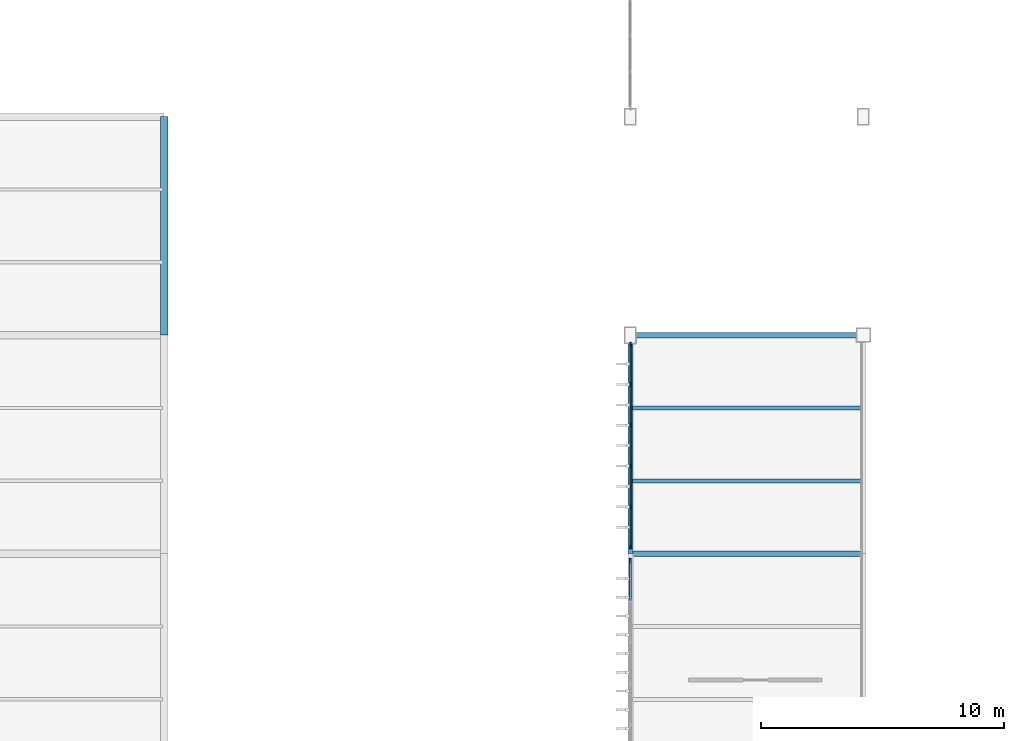
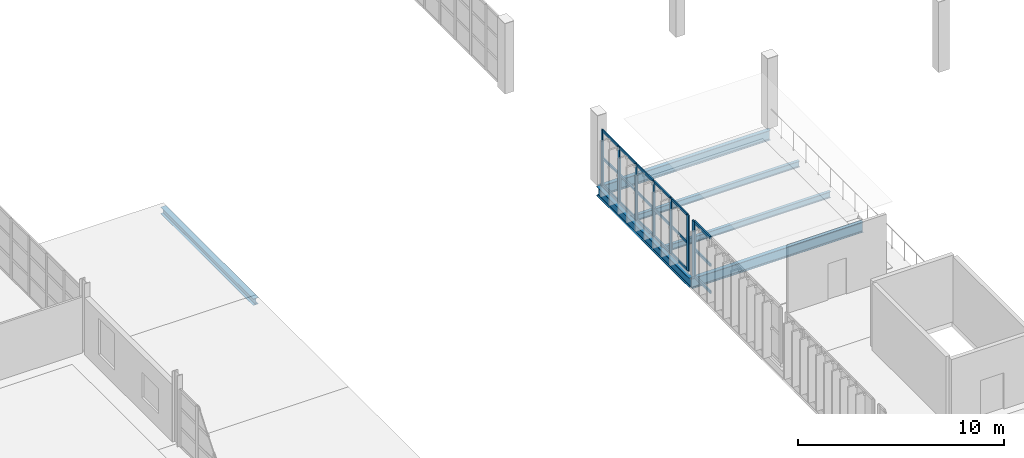
# One storey, part 24 of 82: 25 members, 6 beams, 2 elements without a shape of their own.
"""IFC4 building model written with IfcOpenShell, lengths in metres."""

import ifcopenshell
import ifcopenshell.guid

model = None  # the IFC model being written
_history = None  # IfcOwnerHistory: only IFC2X3 demands one
_inside = {}  # id of a spatial element -> (the spatial element, [elements in it])
_under = {}  # id of a project, library or spatial element -> (it, [spatial elements below it])
_declared = {}  # id of a project -> (the project, [libraries it declares])
_typed = {}  # id of a type object -> (the type object, [elements of that type])
_made_of = {}  # id of a material, layer set ... -> (it, [elements and type objects made of it])


def new_model(schema):
    """Start an empty IFC model of exactly this schema.

    Asked for "IFC4X3", IfcOpenShell would pick the latest addendum, in which some entities
    have other attributes; the version numbers below select the first issue.
    IFC2X3 requires an IfcOwnerHistory on every rooted entity: one is made here for all.
    """
    global model, _history
    if schema == "IFC4X3":
        model = ifcopenshell.file(schema_version=(4, 3, 0, 0))
    else:
        model = ifcopenshell.file(schema=schema)
    _inside.clear()
    _under.clear()
    _declared.clear()
    _typed.clear()
    _made_of.clear()
    _history = None
    if model.schema == "IFC2X3":
        org = make("IfcOrganization", Name="unknown")
        user = make(
            "IfcPersonAndOrganization",
            ThePerson=make("IfcPerson", FamilyName="unknown"),
            TheOrganization=org,
        )
        app = make(
            "IfcApplication",
            ApplicationDeveloper=org,
            Version="unknown",
            ApplicationFullName="unknown",
            ApplicationIdentifier="unknown",
        )
        _history = make(
            "IfcOwnerHistory",
            OwningUser=user,
            OwningApplication=app,
            ChangeAction="ADDED",
            CreationDate=0,
        )
    return model


def make(cls, **values):
    """One entity of the class cls with the attributes given. An attribute that is None is left unset."""
    return model.create_entity(
        cls, **{name: value for name, value in values.items() if value is not None}
    )


def rooted(cls, **values):
    """An entity with a GlobalId (a new one), such as an element, a storey or a relation."""
    return make(cls, GlobalId=ifcopenshell.guid.new(), OwnerHistory=_history, **values)


def si_unit(unit_type, name, prefix=None):
    """IfcSIUnit, for example si_unit("LENGTHUNIT", "METRE", prefix="MILLI")."""
    return make("IfcSIUnit", UnitType=unit_type, Prefix=prefix, Name=name)


def assignment(units):
    """IfcUnitAssignment: the units of a project."""
    return None if units is None else make("IfcUnitAssignment", Units=units)


def point(xyz):
    """IfcCartesianPoint."""
    return None if xyz is None else make("IfcCartesianPoint", Coordinates=xyz)


def direction(xyz):
    """IfcDirection."""
    return None if xyz is None else make("IfcDirection", DirectionRatios=xyz)


def frame(location, z_axis=None, x_axis=None):
    """IfcAxis2Placement3D, a coordinate frame: its origin and axes. An axis left out is left unset."""
    return make(
        "IfcAxis2Placement3D",
        Location=point(location),
        Axis=direction(z_axis),
        RefDirection=direction(x_axis),
    )


def frame_2d(location, x_axis=None):
    """IfcAxis2Placement2D, a coordinate frame in the plane: its origin and x axis."""
    return make(
        "IfcAxis2Placement2D", Location=point(location), RefDirection=direction(x_axis)
    )


def origin():
    """The frame at (0, 0, 0) with its axes left unset."""
    return frame((0.0, 0.0, 0.0))


def origin_2d():
    """The frame at (0, 0) in the plane with its x axis left unset."""
    return frame_2d((0.0, 0.0))


def place(relative_to, where):
    """IfcLocalPlacement: puts the frame where relative to a parent placement (None: the world)."""
    return make(
        "IfcLocalPlacement", PlacementRelTo=relative_to, RelativePlacement=where
    )


def context(
    kind, dimensions, precision=None, world=None, true_north=None, identifier=None
):
    """IfcGeometricRepresentationContext, for example the 3D "Model" context."""
    return make(
        "IfcGeometricRepresentationContext",
        ContextIdentifier=identifier,
        ContextType=kind,
        CoordinateSpaceDimension=dimensions,
        Precision=precision,
        WorldCoordinateSystem=world,
        TrueNorth=true_north,
    )


def subcontext(parent, identifier, kind, view, scale=None):
    """IfcGeometricRepresentationSubContext, for example "Body" below "Model"."""
    return make(
        "IfcGeometricRepresentationSubContext",
        ContextIdentifier=identifier,
        ContextType=kind,
        ParentContext=parent,
        TargetScale=scale,
        TargetView=view,
    )


def project(units=None, contexts=None):
    """IfcProject with its units and contexts."""
    return rooted(
        "IfcProject",
        Name="project",
        RepresentationContexts=contexts,
        UnitsInContext=assignment(units),
    )


def spatial(cls, under=None, at=None, **own):
    """A site, building, storey or space (cls), placed at a placement, below another one or the project."""
    s = rooted(cls, ObjectPlacement=at, **own)
    if under is not None:
        _under.setdefault(under.id(), (under, []))[1].append(s)
    return s


def profile(cls, at=None, kind="AREA", **sizes):
    """A parametric profile (cls). Its sizes go by their IFC names, for example OverallWidth=200.0."""
    return make(cls, ProfileType=kind, Position=at, **sizes)


def rectangle(**sizes):
    """IfcRectangleProfileDef."""
    return profile("IfcRectangleProfileDef", **sizes)


def i_section(**sizes):
    """IfcIShapeProfileDef."""
    return profile("IfcIShapeProfileDef", **sizes)


def extrude(swept, where, along, depth):
    """IfcExtrudedAreaSolid: the profile swept, set in the frame where, extruded along a direction by depth."""
    return make(
        "IfcExtrudedAreaSolid",
        SweptArea=swept,
        Position=where,
        ExtrudedDirection=direction(along),
        Depth=depth,
    )


def shape(context_of_items, identifier, shape_type, items):
    """IfcShapeRepresentation: the items that make up one representation, for example the "Body"."""
    return make(
        "IfcShapeRepresentation",
        ContextOfItems=context_of_items,
        RepresentationIdentifier=identifier,
        RepresentationType=shape_type,
        Items=items,
    )


def material(Name=None, Category=None):
    """IfcMaterial."""
    return make("IfcMaterial", Name=Name, Category=Category)


def layer(
    of_material, thickness, ventilated=None, Name=None, Category=None, Priority=None
):
    """IfcMaterialLayer: one layer of a wall or slab, of a material (None: an air gap)."""
    return make(
        "IfcMaterialLayer",
        Material=of_material,
        LayerThickness=thickness,
        IsVentilated=ventilated,
        Name=Name,
        Category=Category,
        Priority=Priority,
    )


def layer_set(layers, Name=None):
    """IfcMaterialLayerSet."""
    return make("IfcMaterialLayerSet", MaterialLayers=layers, LayerSetName=Name)


def material_profile(
    of_material, cross_section, Name=None, Category=None, Priority=None
):
    """IfcMaterialProfile: a cross section and its material."""
    return make(
        "IfcMaterialProfile",
        Name=Name,
        Material=of_material,
        Profile=cross_section,
        Priority=Priority,
        Category=Category,
    )


def profile_set(profiles, Name=None, composite=None):
    """IfcMaterialProfileSet."""
    return make(
        "IfcMaterialProfileSet",
        Name=Name,
        MaterialProfiles=profiles,
        CompositeProfile=composite,
    )


def made_of(thing, what):
    """Note that an element or type object is made of a material, layer set ...; save() writes the relation."""
    if what is not None:
        _made_of.setdefault(what.id(), (what, []))[1].append(thing)
    return thing


def type_object(cls, material=None, **own):
    """A type object (cls), such as IfcWallType, which elements share."""
    return made_of(rooted(cls, **own), material)


def element(
    cls,
    number,
    at=None,
    inside=None,
    cuts=None,
    type_object=None,
    material=None,
    context=None,
    identifier="Body",
    shape_type=None,
    held_by="IfcProductDefinitionShape",
    body=None,
    shapes=None,
    **own,
):
    """One element of the class cls, such as IfcWall. Its Tag is "e" and its number.

    at: its placement. inside: the storey or other place that contains it. cuts: it is an
    opening in that element (IfcRelVoidsElement). A single representation is given by context,
    identifier, shape_type and body (its items); several are given by shapes. held_by: the class
    of the entity that holds the representations. save() writes the other relations.
    """
    e = rooted(cls, Tag="e%d" % number, ObjectPlacement=at, **own)
    if body is not None:
        shapes = [shape(context, identifier, shape_type, body)]
    if shapes is not None:
        e.Representation = make(held_by, Representations=shapes)
    if inside is not None:
        _inside.setdefault(inside.id(), (inside, []))[1].append(e)
    if cuts is not None:
        rooted(
            "IfcRelVoidsElement", RelatingBuildingElement=cuts, RelatedOpeningElement=e
        )
    if type_object is not None:
        _typed.setdefault(type_object.id(), (type_object, []))[1].append(e)
    return made_of(e, material)


def aggregate(whole, parts):
    """IfcRelAggregates: a whole, such as a stair, and the parts it consists of."""
    return rooted("IfcRelAggregates", RelatingObject=whole, RelatedObjects=parts)


def save(model, path):
    """Write the relations noted so far, then the file.

    IfcRelAggregates (storeys below a building ...), IfcRelContainedInSpatialStructure (elements
    in a storey), IfcRelDefinesByType, IfcRelAssociatesMaterial and IfcRelDeclares: one each for
    every whole, place, type object, material and project.
    """
    for whole, parts in _under.values():
        aggregate(whole, parts)
    for where, things in _inside.values():
        rooted(
            "IfcRelContainedInSpatialStructure",
            RelatedElements=things,
            RelatingStructure=where,
        )
    for kind, things in _typed.values():
        rooted("IfcRelDefinesByType", RelatedObjects=things, RelatingType=kind)
    for what, things in _made_of.values():
        rooted("IfcRelAssociatesMaterial", RelatedObjects=things, RelatingMaterial=what)
    for by, libraries in _declared.values():
        rooted("IfcRelDeclares", RelatingContext=by, RelatedDefinitions=libraries)
    model.write(path)


model = new_model("IFC4")

# Units and contexts
model_context = context("Model", 3, precision=1e-05, world=origin(), true_north=direction((0.0, 1.0)))
body_context = subcontext(model_context, "Body", "Model", "MODEL_VIEW")
ifc_project = project(units=[si_unit("LENGTHUNIT", "METRE"), si_unit("AREAUNIT", "SQUARE_METRE"), si_unit("VOLUMEUNIT", "CUBIC_METRE"), si_unit("PLANEANGLEUNIT", "RADIAN"), si_unit("MASSUNIT", "GRAM", prefix="KILO")], contexts=[model_context])

# Site, building, storey
site_placement = place(None, origin())
site = spatial("IfcSite", under=ifc_project, at=site_placement, CompositionType="ELEMENT")
building_placement = place(site_placement, origin())
building = spatial("IfcBuilding", under=site, at=building_placement, Name="Zarnetskaya Central Station", CompositionType="ELEMENT")
storey_placement = place(building_placement, frame((0.0, 0.0, 10.199951171875)))
storey = spatial("IfcBuildingStorey", under=building, at=storey_placement, Name="L02", CompositionType="ELEMENT", Elevation=10.199951171875)

# Beams
ifc_material_1 = material(Name="Steel S355", Category="steel")
ifc_material_profile_1 = material_profile(ifc_material_1, i_section(OverallWidth=0.169921875, OverallDepth=0.360107421875, WebThickness=0.008056640625, FlangeThickness=0.0126953125, FilletRadius=0.01806640625, at=origin_2d()), Name="IPE 360")
ifc_profile_set_1 = profile_set([ifc_material_profile_1], Name="Steel S355")
beam_type_1 = type_object("IfcBeamType", Name="BM-SEC-360", PredefinedType="BEAM", material=ifc_profile_set_1)
for number, where, z_axis, x_axis, name in (
    (1, (57.679931640625, 52.199951171875, -0.43994140625), (1.0, 0.0, 0.0), (0.0, 1.0, 0.0), "Secondary floor beam SEC-L02-Z994-GH-78-1"),
    (2, (57.679931640625, 55.199951171875, -0.43994140625), (1.0, 0.0, 0.0), (0.0, 1.0, 0.0), "Secondary floor beam SEC-L02-Z994-GH-78-2"),
):
    element("IfcBeam", number, at=place(storey_placement, frame(where, z_axis=z_axis, x_axis=x_axis)), inside=storey, type_object=beam_type_1, Name=name, PredefinedType="BEAM", context=body_context, shape_type="SweptSolid", body=[
        extrude(i_section(OverallWidth=0.169921875, OverallDepth=0.360107421875, WebThickness=0.008056640625, FlangeThickness=0.0126953125, FilletRadius=0.01806640625, at=origin_2d()), origin(), (0.0, 0.0, 1.0), 9.440185546875),
    ])

# Curtain wall, members
ifc_material_2 = material(Name="Low-E insulated glass", Category="glass")
ifc_layer = layer(ifc_material_2, 0.176025390625, Name="Low-E insulated glass", Category="glass")
ifc_layer_set = layer_set([ifc_layer], Name="Low-E insulated glass")
curtain_wall_type = type_object("IfcCurtainWallType", Name="CW-SYS-15", PredefinedType="USERDEFINED", material=ifc_layer_set)
curtain_wall_1_placement = place(storey_placement, origin())
curtain_wall_1 = element("IfcCurtainWall", 3, at=curtain_wall_1_placement, inside=storey, type_object=curtain_wall_type, Name="Curtain wall CW-L02-097", ObjectType="CURTAIN WALL", PredefinedType="USERDEFINED")
ifc_material_3 = material(Name="Anodised aluminium", Category="aluminium")
ifc_material_profile_2 = material_profile(ifc_material_3, rectangle(XDim=0.070068359375, YDim=0.179931640625, at=origin_2d()), Name="ALU MULL 70x180")
ifc_profile_set_2 = profile_set([ifc_material_profile_2], Name="Anodised aluminium")
member_type_1 = type_object("IfcMemberType", Name="CW-MULL-180", PredefinedType="MULLION", material=ifc_profile_set_2)
member_1_placement = place(storey_placement, frame((57.60009765625, 49.485107421875, 0.0), z_axis=(0.0, 0.0, 1.0), x_axis=(-1.0, 0.0, 0.0)))
member_1 = element("IfcMember", 4, at=member_1_placement, type_object=member_type_1, Name="CW-05 mullion 1", PredefinedType="MULLION", context=body_context, shape_type="SweptSolid", body=[
    extrude(rectangle(XDim=0.070068359375, YDim=0.179931640625, at=origin_2d()), origin(), (0.0, 0.0, 1.0), 3.300048828125),
])
member_2_placement = place(storey_placement, frame((57.60009765625, 51.1298828125, 0.0), z_axis=(0.0, 0.0, 1.0), x_axis=(-1.0, 0.0, 0.0)))
member_2 = element("IfcMember", 5, at=member_2_placement, type_object=member_type_1, Name="CW-05 mullion 2", PredefinedType="MULLION", context=body_context, shape_type="SweptSolid", body=[
    extrude(rectangle(XDim=0.070068359375, YDim=0.179931640625, at=origin_2d()), origin(), (0.0, 0.0, 1.0), 3.300048828125),
])
member_3_placement = place(storey_placement, frame((57.60009765625, 52.81005859375, 0.0), z_axis=(0.0, 0.0, 1.0), x_axis=(-1.0, 0.0, 0.0)))
member_3 = element("IfcMember", 6, at=member_3_placement, type_object=member_type_1, Name="CW-05 mullion 3", PredefinedType="MULLION", context=body_context, shape_type="SweptSolid", body=[
    extrude(rectangle(XDim=0.070068359375, YDim=0.179931640625, at=origin_2d()), origin(), (0.0, 0.0, 1.0), 3.300048828125),
])
member_4_placement = place(storey_placement, frame((57.60009765625, 54.489990234375, 0.0), z_axis=(0.0, 0.0, 1.0), x_axis=(-1.0, 0.0, 0.0)))
member_4 = element("IfcMember", 7, at=member_4_placement, type_object=member_type_1, Name="CW-05 mullion 4", PredefinedType="MULLION", context=body_context, shape_type="SweptSolid", body=[
    extrude(rectangle(XDim=0.070068359375, YDim=0.179931640625, at=origin_2d()), origin(), (0.0, 0.0, 1.0), 3.300048828125),
])
member_5_placement = place(storey_placement, frame((57.60009765625, 56.169921875, 0.0), z_axis=(0.0, 0.0, 1.0), x_axis=(-1.0, 0.0, 0.0)))
member_5 = element("IfcMember", 8, at=member_5_placement, type_object=member_type_1, Name="CW-05 mullion 5", PredefinedType="MULLION", context=body_context, shape_type="SweptSolid", body=[
    extrude(rectangle(XDim=0.070068359375, YDim=0.179931640625, at=origin_2d()), origin(), (0.0, 0.0, 1.0), 3.300048828125),
])
member_6_placement = place(storey_placement, frame((57.60009765625, 57.81494140625, 0.0), z_axis=(0.0, 0.0, 1.0), x_axis=(-1.0, 0.0, 0.0)))
member_6 = element("IfcMember", 9, at=member_6_placement, type_object=member_type_1, Name="CW-05 mullion 6", PredefinedType="MULLION", context=body_context, shape_type="SweptSolid", body=[
    extrude(rectangle(XDim=0.070068359375, YDim=0.179931640625, at=origin_2d()), origin(), (0.0, 0.0, 1.0), 3.300048828125),
])

# Curtain wall, member
curtain_wall_2_placement = place(storey_placement, origin())
curtain_wall_2 = element("IfcCurtainWall", 10, at=curtain_wall_2_placement, inside=storey, type_object=curtain_wall_type, Name="Curtain wall CW-L02-094", ObjectType="CURTAIN WALL", PredefinedType="USERDEFINED")
ifc_material_profile_3 = material_profile(ifc_material_3, rectangle(XDim=0.080078125, YDim=0.219970703125, at=origin_2d()), Name="ALU MULL 80x220")
ifc_profile_set_3 = profile_set([ifc_material_profile_3], Name="Anodised aluminium")
member_type_2 = type_object("IfcMemberType", Name="CW-MULL-220", PredefinedType="MULLION", material=ifc_profile_set_3)
member_7_placement = place(storey_placement, frame((57.60009765625, 48.909912109375, 0.0), z_axis=(0.0, 0.0, 1.0), x_axis=(-1.0, 0.0, 0.0)))
member_7 = element("IfcMember", 11, at=member_7_placement, type_object=member_type_2, Name="CW-05 mullion 6", PredefinedType="MULLION", context=body_context, shape_type="SweptSolid", body=[
    extrude(rectangle(XDim=0.080078125, YDim=0.219970703125, at=origin_2d()), origin(), (0.0, 0.0, 1.0), 3.300048828125),
])

# Member
ifc_material_profile_4 = material_profile(ifc_material_3, rectangle(XDim=0.070068359375, YDim=0.139892578125, at=origin_2d()), Name="ALU TRAN 70x140")
ifc_profile_set_4 = profile_set([ifc_material_profile_4], Name="Anodised aluminium")
member_type_3 = type_object("IfcMemberType", Name="CW-TRAN-140", PredefinedType="USERDEFINED", material=ifc_profile_set_4)
member_8_placement = place(storey_placement, frame((57.60009765625, 49.52001953125, 0.03515625), z_axis=(0.0, 1.0, 0.0), x_axis=(-1.0, 0.0, 0.0)))
member_8 = element("IfcMember", 12, at=member_8_placement, type_object=member_type_3, Name="CW-05 transom 1.1", ObjectType="TRANSOM", PredefinedType="USERDEFINED", context=body_context, shape_type="SweptSolid", body=[
    extrude(rectangle(XDim=0.070068359375, YDim=0.139892578125, at=origin_2d()), origin(), (0.0, 0.0, 1.0), 1.574951171875),
])

member_9_placement = place(storey_placement, frame((57.60009765625, 49.52001953125, 1.650146484375), z_axis=(0.0, 1.0, 0.0), x_axis=(-1.0, 0.0, 0.0)))
member_9 = element("IfcMember", 13, at=member_9_placement, type_object=member_type_3, Name="CW-05 transom 1.2", ObjectType="TRANSOM", PredefinedType="USERDEFINED", context=body_context, shape_type="SweptSolid", body=[
    extrude(rectangle(XDim=0.070068359375, YDim=0.139892578125, at=origin_2d()), origin(), (0.0, 0.0, 1.0), 1.574951171875),
])

member_10_placement = place(storey_placement, frame((57.60009765625, 49.52001953125, 3.26513671875), z_axis=(0.0, 1.0, 0.0), x_axis=(-1.0, 0.0, 0.0)))
member_10 = element("IfcMember", 14, at=member_10_placement, type_object=member_type_3, Name="CW-05 transom 1.3", ObjectType="TRANSOM", PredefinedType="USERDEFINED", context=body_context, shape_type="SweptSolid", body=[
    extrude(rectangle(XDim=0.070068359375, YDim=0.139892578125, at=origin_2d()), origin(), (0.0, 0.0, 1.0), 1.574951171875),
])

member_11_placement = place(storey_placement, frame((57.60009765625, 51.1650390625, 0.03515625), z_axis=(0.0, 1.0, 0.0), x_axis=(-1.0, 0.0, 0.0)))
member_11 = element("IfcMember", 15, at=member_11_placement, type_object=member_type_3, Name="CW-05 transom 2.1", ObjectType="TRANSOM", PredefinedType="USERDEFINED", context=body_context, shape_type="SweptSolid", body=[
    extrude(rectangle(XDim=0.070068359375, YDim=0.139892578125, at=origin_2d()), origin(), (0.0, 0.0, 1.0), 1.60986328125),
])

member_12_placement = place(storey_placement, frame((57.60009765625, 51.1650390625, 1.650146484375), z_axis=(0.0, 1.0, 0.0), x_axis=(-1.0, 0.0, 0.0)))
member_12 = element("IfcMember", 16, at=member_12_placement, type_object=member_type_3, Name="CW-05 transom 2.2", ObjectType="TRANSOM", PredefinedType="USERDEFINED", context=body_context, shape_type="SweptSolid", body=[
    extrude(rectangle(XDim=0.070068359375, YDim=0.139892578125, at=origin_2d()), origin(), (0.0, 0.0, 1.0), 1.60986328125),
])

member_13_placement = place(storey_placement, frame((57.60009765625, 51.1650390625, 3.26513671875), z_axis=(0.0, 1.0, 0.0), x_axis=(-1.0, 0.0, 0.0)))
member_13 = element("IfcMember", 17, at=member_13_placement, type_object=member_type_3, Name="CW-05 transom 2.3", ObjectType="TRANSOM", PredefinedType="USERDEFINED", context=body_context, shape_type="SweptSolid", body=[
    extrude(rectangle(XDim=0.070068359375, YDim=0.139892578125, at=origin_2d()), origin(), (0.0, 0.0, 1.0), 1.60986328125),
])

member_14_placement = place(storey_placement, frame((57.60009765625, 52.844970703125, 0.03515625), z_axis=(0.0, 1.0, 0.0), x_axis=(-1.0, 0.0, 0.0)))
member_14 = element("IfcMember", 18, at=member_14_placement, type_object=member_type_3, Name="CW-05 transom 3.1", ObjectType="TRANSOM", PredefinedType="USERDEFINED", context=body_context, shape_type="SweptSolid", body=[
    extrude(rectangle(XDim=0.070068359375, YDim=0.139892578125, at=origin_2d()), origin(), (0.0, 0.0, 1.0), 1.610107421875),
])

member_15_placement = place(storey_placement, frame((57.60009765625, 52.844970703125, 1.650146484375), z_axis=(0.0, 1.0, 0.0), x_axis=(-1.0, 0.0, 0.0)))
member_15 = element("IfcMember", 19, at=member_15_placement, type_object=member_type_3, Name="CW-05 transom 3.2", ObjectType="TRANSOM", PredefinedType="USERDEFINED", context=body_context, shape_type="SweptSolid", body=[
    extrude(rectangle(XDim=0.070068359375, YDim=0.139892578125, at=origin_2d()), origin(), (0.0, 0.0, 1.0), 1.610107421875),
])

member_16_placement = place(storey_placement, frame((57.60009765625, 52.844970703125, 3.26513671875), z_axis=(0.0, 1.0, 0.0), x_axis=(-1.0, 0.0, 0.0)))
member_16 = element("IfcMember", 20, at=member_16_placement, type_object=member_type_3, Name="CW-05 transom 3.3", ObjectType="TRANSOM", PredefinedType="USERDEFINED", context=body_context, shape_type="SweptSolid", body=[
    extrude(rectangle(XDim=0.070068359375, YDim=0.139892578125, at=origin_2d()), origin(), (0.0, 0.0, 1.0), 1.610107421875),
])

member_17_placement = place(storey_placement, frame((57.60009765625, 54.52490234375, 0.03515625), z_axis=(0.0, 1.0, 0.0), x_axis=(-1.0, 0.0, 0.0)))
member_17 = element("IfcMember", 21, at=member_17_placement, type_object=member_type_3, Name="CW-05 transom 4.1", ObjectType="TRANSOM", PredefinedType="USERDEFINED", context=body_context, shape_type="SweptSolid", body=[
    extrude(rectangle(XDim=0.070068359375, YDim=0.139892578125, at=origin_2d()), origin(), (0.0, 0.0, 1.0), 1.610107421875),
])

member_18_placement = place(storey_placement, frame((57.60009765625, 54.52490234375, 1.650146484375), z_axis=(0.0, 1.0, 0.0), x_axis=(-1.0, 0.0, 0.0)))
member_18 = element("IfcMember", 22, at=member_18_placement, type_object=member_type_3, Name="CW-05 transom 4.2", ObjectType="TRANSOM", PredefinedType="USERDEFINED", context=body_context, shape_type="SweptSolid", body=[
    extrude(rectangle(XDim=0.070068359375, YDim=0.139892578125, at=origin_2d()), origin(), (0.0, 0.0, 1.0), 1.610107421875),
])

member_19_placement = place(storey_placement, frame((57.60009765625, 54.52490234375, 3.26513671875), z_axis=(0.0, 1.0, 0.0), x_axis=(-1.0, 0.0, 0.0)))
member_19 = element("IfcMember", 23, at=member_19_placement, type_object=member_type_3, Name="CW-05 transom 4.3", ObjectType="TRANSOM", PredefinedType="USERDEFINED", context=body_context, shape_type="SweptSolid", body=[
    extrude(rectangle(XDim=0.070068359375, YDim=0.139892578125, at=origin_2d()), origin(), (0.0, 0.0, 1.0), 1.610107421875),
])

member_20_placement = place(storey_placement, frame((57.60009765625, 56.205078125, 0.03515625), z_axis=(0.0, 1.0, 0.0), x_axis=(-1.0, 0.0, 0.0)))
member_20 = element("IfcMember", 24, at=member_20_placement, type_object=member_type_3, Name="CW-05 transom 5.1", ObjectType="TRANSOM", PredefinedType="USERDEFINED", context=body_context, shape_type="SweptSolid", body=[
    extrude(rectangle(XDim=0.070068359375, YDim=0.139892578125, at=origin_2d()), origin(), (0.0, 0.0, 1.0), 1.574951171875),
])

member_21_placement = place(storey_placement, frame((57.60009765625, 56.205078125, 1.650146484375), z_axis=(0.0, 1.0, 0.0), x_axis=(-1.0, 0.0, 0.0)))
member_21 = element("IfcMember", 25, at=member_21_placement, type_object=member_type_3, Name="CW-05 transom 5.2", ObjectType="TRANSOM", PredefinedType="USERDEFINED", context=body_context, shape_type="SweptSolid", body=[
    extrude(rectangle(XDim=0.070068359375, YDim=0.139892578125, at=origin_2d()), origin(), (0.0, 0.0, 1.0), 1.574951171875),
])

member_22_placement = place(storey_placement, frame((57.60009765625, 56.205078125, 3.26513671875), z_axis=(0.0, 1.0, 0.0), x_axis=(-1.0, 0.0, 0.0)))
member_22 = element("IfcMember", 26, at=member_22_placement, type_object=member_type_3, Name="CW-05 transom 5.3", ObjectType="TRANSOM", PredefinedType="USERDEFINED", context=body_context, shape_type="SweptSolid", body=[
    extrude(rectangle(XDim=0.070068359375, YDim=0.139892578125, at=origin_2d()), origin(), (0.0, 0.0, 1.0), 1.574951171875),
])

aggregate(curtain_wall_1, [member_1, member_2, member_3, member_4, member_5, member_6, member_8, member_9, member_10, member_11, member_12, member_13, member_14, member_15, member_16, member_17, member_18, member_19, member_20, member_21, member_22])

ifc_material_profile_5 = material_profile(ifc_material_3, rectangle(XDim=0.080078125, YDim=0.159912109375, at=origin_2d()), Name="ALU TRAN 80x160")
ifc_profile_set_5 = profile_set([ifc_material_profile_5], Name="Anodised aluminium")
member_type_4 = type_object("IfcMemberType", Name="CW-TRAN-160", PredefinedType="USERDEFINED", material=ifc_profile_set_5)
member_23_placement = place(storey_placement, frame((57.60009765625, 47.2900390625, 0.0400390625), z_axis=(0.0, 1.0, 0.0), x_axis=(-1.0, 0.0, 0.0)))
member_23 = element("IfcMember", 27, at=member_23_placement, type_object=member_type_4, Name="CW-05 transom 5.1", ObjectType="TRANSOM", PredefinedType="USERDEFINED", context=body_context, shape_type="SweptSolid", body=[
    extrude(rectangle(XDim=0.080078125, YDim=0.159912109375, at=origin_2d()), origin(), (0.0, 0.0, 1.0), 1.580078125),
])

member_24_placement = place(storey_placement, frame((57.60009765625, 47.2900390625, 1.650146484375), z_axis=(0.0, 1.0, 0.0), x_axis=(-1.0, 0.0, 0.0)))
member_24 = element("IfcMember", 28, at=member_24_placement, type_object=member_type_4, Name="CW-05 transom 5.2", ObjectType="TRANSOM", PredefinedType="USERDEFINED", context=body_context, shape_type="SweptSolid", body=[
    extrude(rectangle(XDim=0.080078125, YDim=0.159912109375, at=origin_2d()), origin(), (0.0, 0.0, 1.0), 1.580078125),
])

member_25_placement = place(storey_placement, frame((57.60009765625, 47.2900390625, 3.260009765625), z_axis=(0.0, 1.0, 0.0), x_axis=(-1.0, 0.0, 0.0)))
member_25 = element("IfcMember", 29, at=member_25_placement, type_object=member_type_4, Name="CW-05 transom 5.3", ObjectType="TRANSOM", PredefinedType="USERDEFINED", context=body_context, shape_type="SweptSolid", body=[
    extrude(rectangle(XDim=0.080078125, YDim=0.159912109375, at=origin_2d()), origin(), (0.0, 0.0, 1.0), 1.580078125),
])

aggregate(curtain_wall_2, [member_7, member_23, member_24, member_25])

# Beams
ifc_material_profile_6 = material_profile(ifc_material_1, i_section(OverallWidth=0.2099609375, OverallDepth=0.550048828125, WebThickness=0.010986328125, FlangeThickness=0.01708984375, FilletRadius=0.02392578125, at=origin_2d()), Name="IPE 550")
ifc_profile_set_6 = profile_set([ifc_material_profile_6], Name="Steel S355")
beam_type_2 = type_object("IfcBeamType", Name="GD-FLR-550", PredefinedType="USERDEFINED", material=ifc_profile_set_6)
beam_1_placement = place(storey_placement, frame((57.60009765625, 49.199951171875, -0.534912109375), z_axis=(0.0, 1.0, 0.0), x_axis=(-1.0, 0.0, 0.0)))
element("IfcBeam", 30, at=beam_1_placement, inside=storey, type_object=beam_type_2, Name="Grid girder GY-L02-G-78", ObjectType="GIRDER", PredefinedType="USERDEFINED", context=body_context, shape_type="SweptSolid", body=[
    extrude(i_section(OverallWidth=0.2099609375, OverallDepth=0.550048828125, WebThickness=0.010986328125, FlangeThickness=0.01708984375, FilletRadius=0.02392578125, at=origin_2d()), origin(), (0.0, 0.0, 1.0), 9.0),
])
ifc_material_profile_7 = material_profile(ifc_material_1, i_section(OverallWidth=0.219970703125, OverallDepth=0.60009765625, WebThickness=0.011962890625, FlangeThickness=0.01904296875, FilletRadius=0.02392578125, at=origin_2d()), Name="IPE 600")
ifc_profile_set_7 = profile_set([ifc_material_profile_7], Name="Steel S355")
beam_type_3 = type_object("IfcBeamType", Name="GD-FLR-600", PredefinedType="USERDEFINED", material=ifc_profile_set_7)
for number, where, z_axis, x_axis, name in (
    (31, (57.60009765625, 49.199951171875, -0.56005859375), (1.0, 0.0, 0.0), (0.0, 1.0, 0.0), "Grid girder GX-L02-7-GH"),
    (32, (57.60009765625, 58.199951171875, -0.56005859375), (1.0, 0.0, 0.0), (0.0, 1.0, 0.0), "Grid girder GX-L02-8-GH"),
):
    element("IfcBeam", number, at=place(storey_placement, frame(where, z_axis=z_axis, x_axis=x_axis)), inside=storey, type_object=beam_type_3, Name=name, ObjectType="GIRDER", PredefinedType="USERDEFINED", context=body_context, shape_type="SweptSolid", body=[
        extrude(i_section(OverallWidth=0.219970703125, OverallDepth=0.60009765625, WebThickness=0.011962890625, FlangeThickness=0.01904296875, FilletRadius=0.02392578125, at=origin_2d()), origin(), (0.0, 0.0, 1.0), 9.599853515625),
    ])
ifc_material_profile_8 = material_profile(ifc_material_1, i_section(OverallWidth=0.300048828125, OverallDepth=0.389892578125, WebThickness=0.010986328125, FlangeThickness=0.01904296875, FilletRadius=0.027099609375, at=origin_2d()), Name="HEA 400")
ifc_profile_set_8 = profile_set([ifc_material_profile_8], Name="Steel S355")
beam_type_4 = type_object("IfcBeamType", Name="GD-ROOF-400", PredefinedType="USERDEFINED", material=ifc_profile_set_8)
beam_2_placement = place(storey_placement, frame((38.39990234375, 58.199951171875, -0.405029296875), z_axis=(0.0, 1.0, 0.0), x_axis=(-1.0, 0.0, 0.0)))
element("IfcBeam", 33, at=beam_2_placement, inside=storey, type_object=beam_type_4, Name="Grid girder GY-L02-E-89", ObjectType="GIRDER", PredefinedType="USERDEFINED", context=body_context, shape_type="SweptSolid", body=[
    extrude(i_section(OverallWidth=0.300048828125, OverallDepth=0.389892578125, WebThickness=0.010986328125, FlangeThickness=0.01904296875, FilletRadius=0.027099609375, at=origin_2d()), origin(), (0.0, 0.0, 1.0), 9.0),
])

save(model, "model.ifc")
